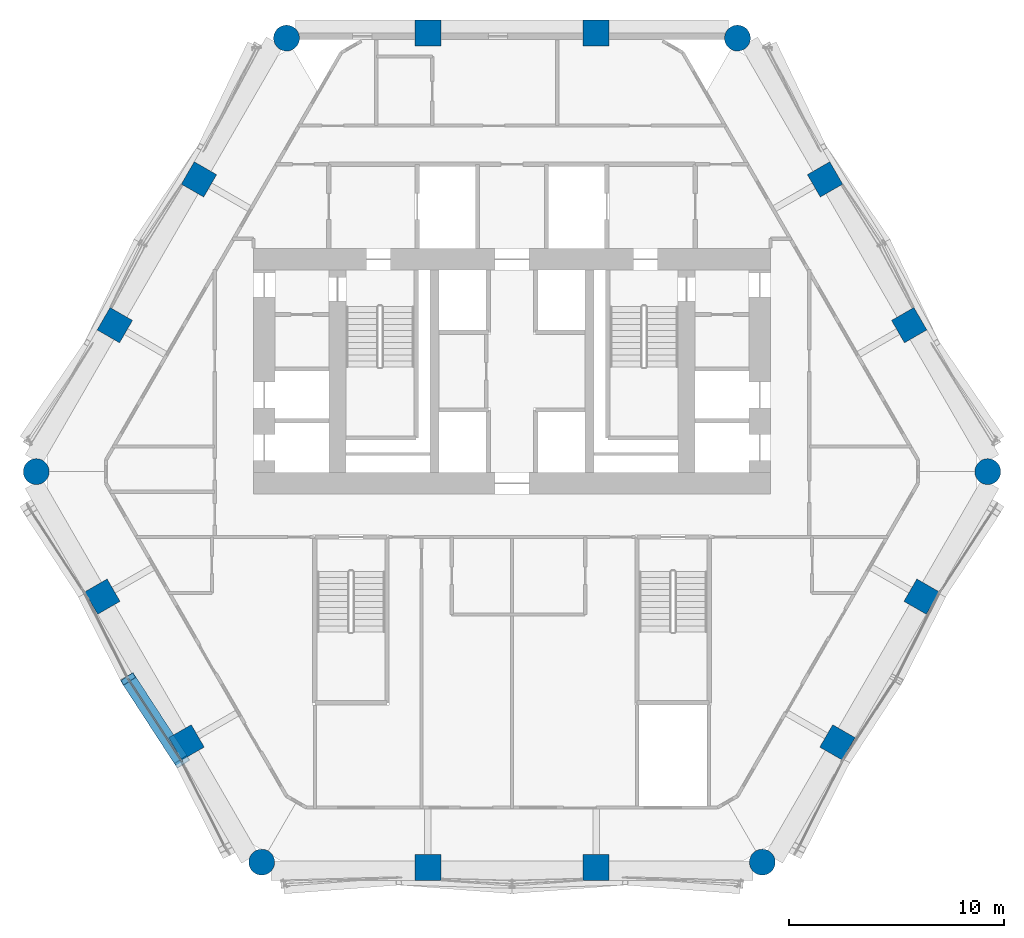
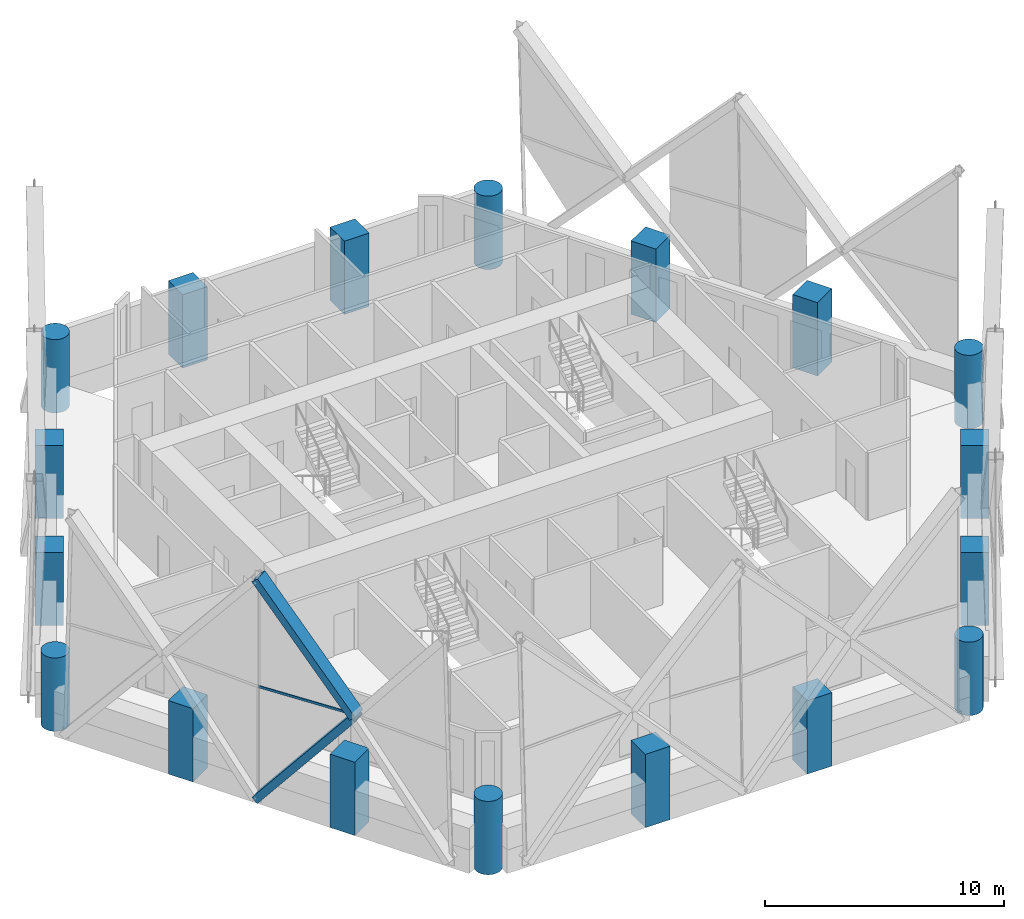
# One storey, part 1 of 21: 18 columns, 3 members, 1 element without a shape of its own.
"""IFC4 building model written with IfcOpenShell, lengths in metres."""

from ifc_helpers import new_model, si_unit, direction, frame, origin, origin_2d, place, context, subcontext, project, spatial, rectangle, hollow_rectangle, circle, extrude, material, material_profile, profile_set, type_object, element, aggregate, save


model = new_model("IFC4")

# Units and contexts
model_context = context("Model", 3, precision=1e-05, world=origin(), true_north=direction((0.0, 1.0)))
body_context = subcontext(model_context, "Body", "Model", "MODEL_VIEW")
ifc_project = project(units=[si_unit("LENGTHUNIT", "METRE"), si_unit("AREAUNIT", "SQUARE_METRE"), si_unit("VOLUMEUNIT", "CUBIC_METRE"), si_unit("PLANEANGLEUNIT", "RADIAN"), si_unit("MASSUNIT", "GRAM", prefix="KILO")], contexts=[model_context])

# Site, building, storey
site_placement = place(None, origin())
site = spatial("IfcSite", under=ifc_project, at=site_placement, CompositionType="ELEMENT")
building_placement = place(site_placement, origin())
building = spatial("IfcBuilding", under=site, at=building_placement, Name="Ostrander Bayou Hotel Tower", CompositionType="ELEMENT")
storey_placement = place(building_placement, frame((0.0, 0.0, 116.0)))
storey = spatial("IfcBuildingStorey", under=building, at=storey_placement, Name="L28", CompositionType="ELEMENT", Elevation=116.0)

# Columns
ifc_material_1 = material(Name="Concrete f'c 70 MPa", Category="concrete")
ifc_material_profile_1 = material_profile(ifc_material_1, circle(Radius=0.60009765625, at=origin_2d()))
ifc_profile_set_1 = profile_set([ifc_material_profile_1], Name="Concrete f'c 70 MPa")
column_type_1 = type_object("IfcColumnType", Name="C3 round column 1200 mm f'c 70 MPa", PredefinedType="COLUMN", material=ifc_profile_set_1)
for number, where, z_axis, x_axis, name in (
    (1, (-10.466064453125, 19.458740234375, -1.199951171875), (0.0, 0.0, 1.0), (1.0, 0.0, 0.0), "C3 L28 K0"),
    (2, (-22.0849609375, -0.66552734375, -1.199951171875), (0.0, 0.0, 1.0), (1.0, 0.0, 0.0), "C3 L28 K1"),
    (3, (-11.618896484375, -18.793212890625, -1.199951171875), (0.0, 0.0, 1.0), (1.0, 0.0, 0.0), "C3 L28 K2"),
    (4, (11.618896484375, -18.793212890625, -1.199951171875), (0.0, 0.0, 1.0), (1.0, 0.0, 0.0), "C3 L28 K3"),
    (5, (22.0849609375, -0.66552734375, -1.199951171875), (0.0, 0.0, 1.0), (1.0, 0.0, 0.0), "C3 L28 K4"),
    (6, (10.466064453125, 19.458740234375, -1.199951171875), (0.0, 0.0, 1.0), (1.0, 0.0, 0.0), "C3 L28 K5"),
):
    element("IfcColumn", number, at=place(storey_placement, frame(where, z_axis=z_axis, x_axis=x_axis)), inside=storey, type_object=column_type_1, Name=name, PredefinedType="COLUMN", context=body_context, shape_type="SweptSolid", body=[
        extrude(circle(Radius=0.60009765625, at=origin_2d()), origin(), (0.0, 0.0, 1.0), 3.75),
    ])
ifc_material_2 = material(Name="Concrete f'c 70 MPa", Category="concrete")
ifc_material_profile_2 = material_profile(ifc_material_2, rectangle(XDim=1.199951171875, YDim=1.199951171875, at=origin_2d()))
ifc_profile_set_2 = profile_set([ifc_material_profile_2], Name="Concrete f'c 70 MPa")
column_type_2 = type_object("IfcColumnType", Name="C4 square column 1200 x 1200 mm f'c 70 MPa", PredefinedType="COLUMN", material=ifc_profile_set_2)
for number, where, z_axis, x_axis, name in (
    (7, (3.90673828125, 19.699951171875, -1.199951171875), (0.0, 0.0, 1.0), (1.0, 0.0, 0.0), "C4 L28 N1"),
    (8, (-3.90673828125, 19.699951171875, -1.199951171875), (0.0, 0.0, 1.0), (1.0, 0.0, 0.0), "C4 L28 N2"),
    (9, (-14.531005859375, 12.900634765625, -1.199951171875), (0.0, 0.0, 1.0), (0.5, 0.866025403784, 0.0), "C4 L28 NW1"),
    (10, (-18.437744140625, 6.1337890625, -1.199951171875), (0.0, 0.0, 1.0), (0.5, 0.866025403784, 0.0), "C4 L28 NW2"),
    (11, (-19.01416015625, -6.466796875, -1.199951171875), (0.0, 0.0, 1.0), (-0.5, 0.866025403784, 0.0), "C4 L28 SW1"),
    (12, (-15.107421875, -13.2333984375, -1.199951171875), (0.0, 0.0, 1.0), (-0.5, 0.866025403784, 0.0), "C4 L28 SW2"),
    (13, (-3.90673828125, -19.034423828125, -1.199951171875), (0.0, 0.0, 1.0), (-1.0, 0.0, 0.0), "C4 L28 S1"),
    (14, (3.90673828125, -19.034423828125, -1.199951171875), (0.0, 0.0, 1.0), (-1.0, 0.0, 0.0), "C4 L28 S2"),
    (15, (15.107421875, -13.2333984375, -1.199951171875), (0.0, 0.0, 1.0), (-0.5, -0.866025403784, 0.0), "C4 L28 SE1"),
    (16, (19.01416015625, -6.466796875, -1.199951171875), (0.0, 0.0, 1.0), (-0.5, -0.866025403784, 0.0), "C4 L28 SE2"),
    (17, (18.437744140625, 6.1337890625, -1.199951171875), (0.0, 0.0, 1.0), (0.5, -0.866025403784, 0.0), "C4 L28 NE1"),
    (18, (14.531005859375, 12.900634765625, -1.199951171875), (0.0, 0.0, 1.0), (0.5, -0.866025403784, 0.0), "C4 L28 NE2"),
):
    element("IfcColumn", number, at=place(storey_placement, frame(where, z_axis=z_axis, x_axis=x_axis)), inside=storey, type_object=column_type_2, Name=name, PredefinedType="COLUMN", context=body_context, shape_type="SweptSolid", body=[
        extrude(rectangle(XDim=1.199951171875, YDim=1.199951171875, at=origin_2d()), origin(), (0.0, 0.0, 1.0), 3.75),
    ])

# Curtain wall, member
ifc_material_3 = material(Name="Aluminium and clear glass", Category="aluminium")
curtain_wall_type = type_object("IfcCurtainWallType", Name="CW-LAT lattice glazing", PredefinedType="NOTDEFINED", material=ifc_material_3)
curtain_wall_placement = place(storey_placement, origin())
curtain_wall = element("IfcCurtainWall", 19, at=curtain_wall_placement, inside=storey, type_object=curtain_wall_type, Name="CW-LAT L28 SW 2", PredefinedType="NOTDEFINED")
ifc_material_4 = material(Name="Aluminium", Category="aluminium")
ifc_material_profile_3 = material_profile(ifc_material_4, hollow_rectangle(XDim=0.06005859375, YDim=0.1201171875, WallThickness=0.00390625, at=origin_2d()))
ifc_profile_set_3 = profile_set([ifc_material_profile_3], Name="Aluminium")
member_type_1 = type_object("IfcMemberType", Name="CW-LA transom 60 x 120 mm", PredefinedType="USERDEFINED", material=ifc_profile_set_3)
member_placement = place(storey_placement, frame((-17.814208984375, -10.284912109375, 5.02490234375), z_axis=(0.545332026434, -0.838220126783, 0.0), x_axis=(0.838220126783, 0.545332026434, 0.0)))
member = element("IfcMember", 20, at=member_placement, type_object=member_type_1, Name="CW-LAT transom 7", ObjectType="TRANSOM", PredefinedType="USERDEFINED", context=body_context, shape_type="SweptSolid", body=[
    extrude(hollow_rectangle(XDim=0.06005859375, YDim=0.1201171875, WallThickness=0.00390625, at=origin_2d()), origin(), (0.0, 0.0, 1.0), 4.59375),
])
aggregate(curtain_wall, [member])

# Members
ifc_material_5 = material(Name="Steel ASTM A572 Gr 50", Category="steel")
ifc_material_profile_4 = material_profile(ifc_material_5, hollow_rectangle(XDim=0.699951171875, YDim=0.35009765625, WallThickness=0.02490234375, at=origin_2d()))
ifc_profile_set_4 = profile_set([ifc_material_profile_4], Name="Steel ASTM A572 Gr 50")
member_type_2 = type_object("IfcMemberType", Name="LT1 lattice member box 700 x 350 x 25 mm", PredefinedType="BRACE", material=ifc_profile_set_4)
for number, where, z_axis, x_axis, name in (
    (21, (-15.30908203125, -14.135498046875, 5.02490234375), (-0.344942016564, 0.530204218423, -0.774531143322), (-0.838220126783, -0.545332026434, 0.0), "LT1 L28 SW 5"),
    (22, (-15.30908203125, -14.135498046875, 5.02490234375), (-0.344942016564, 0.530204218423, 0.774531143322), (-0.838220126783, -0.545332026434, 0.0), "LT1 L28 SW 6"),
):
    element("IfcMember", number, at=place(storey_placement, frame(where, z_axis=z_axis, x_axis=x_axis)), inside=storey, type_object=member_type_2, Name=name, PredefinedType="BRACE", context=body_context, shape_type="SweptSolid", body=[
        extrude(hollow_rectangle(XDim=0.699951171875, YDim=0.35009765625, WallThickness=0.02490234375, at=origin_2d()), origin(), (0.0, 0.0, 1.0), 7.262451171875),
    ])

save(model, "model.ifc")
